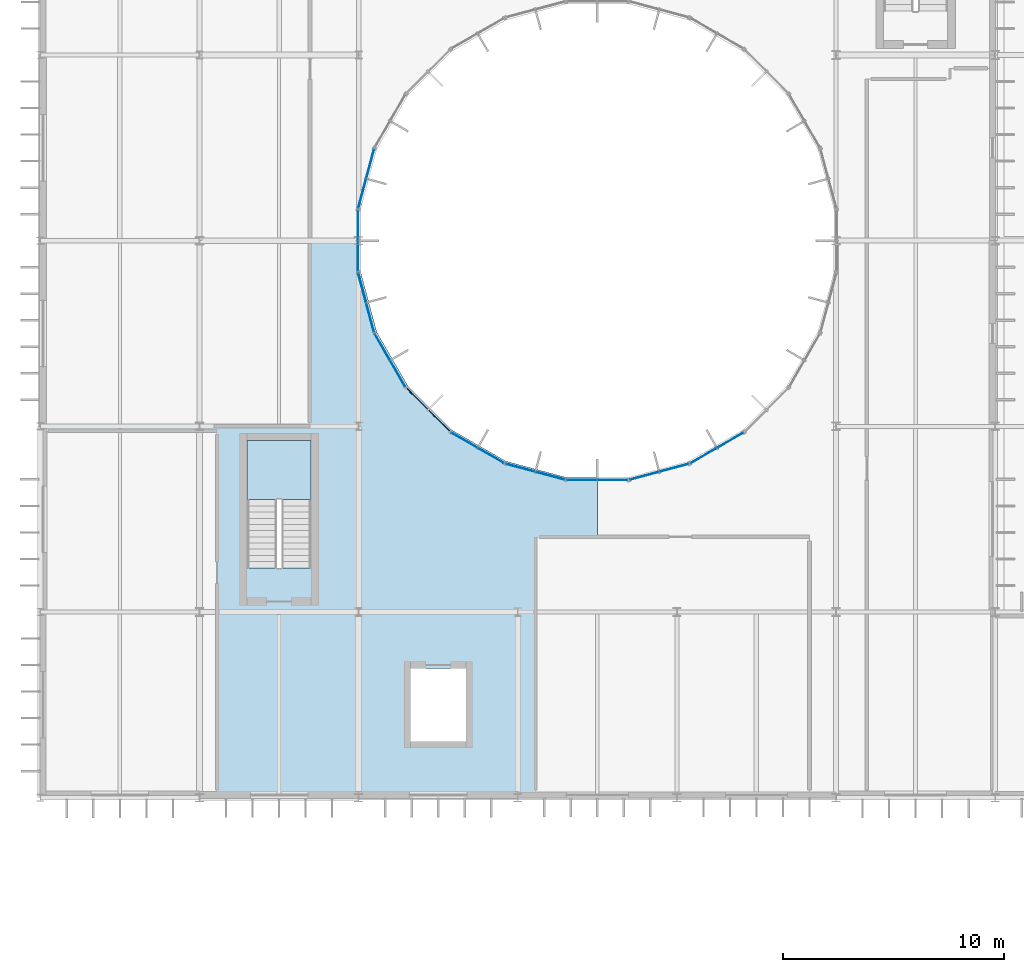
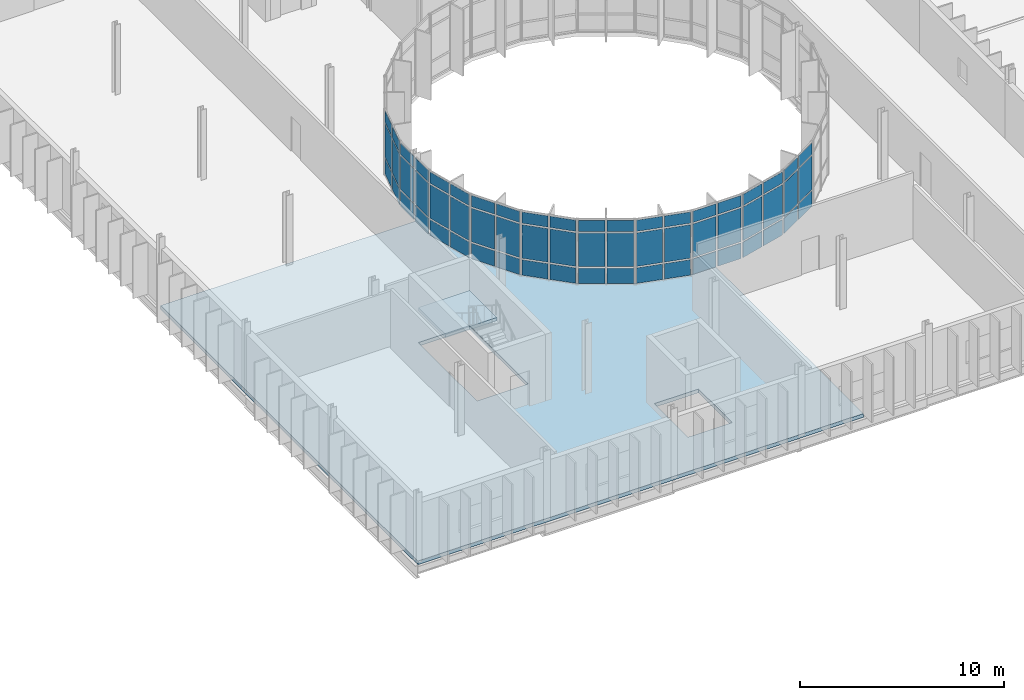
# One storey, part 60 of 99: 60 plates, 2 slabs, 11 elements without a shape of their own.
"""IFC4 building model written with IfcOpenShell, lengths in metres."""

import ifcopenshell
import ifcopenshell.guid

model = None  # the IFC model being written
_history = None  # IfcOwnerHistory: only IFC2X3 demands one
_inside = {}  # id of a spatial element -> (the spatial element, [elements in it])
_under = {}  # id of a project, library or spatial element -> (it, [spatial elements below it])
_declared = {}  # id of a project -> (the project, [libraries it declares])
_typed = {}  # id of a type object -> (the type object, [elements of that type])
_made_of = {}  # id of a material, layer set ... -> (it, [elements and type objects made of it])


def new_model(schema):
    """Start an empty IFC model of exactly this schema.

    Asked for "IFC4X3", IfcOpenShell would pick the latest addendum, in which some entities
    have other attributes; the version numbers below select the first issue.
    IFC2X3 requires an IfcOwnerHistory on every rooted entity: one is made here for all.
    """
    global model, _history
    if schema == "IFC4X3":
        model = ifcopenshell.file(schema_version=(4, 3, 0, 0))
    else:
        model = ifcopenshell.file(schema=schema)
    _inside.clear()
    _under.clear()
    _declared.clear()
    _typed.clear()
    _made_of.clear()
    _history = None
    if model.schema == "IFC2X3":
        org = make("IfcOrganization", Name="unknown")
        user = make(
            "IfcPersonAndOrganization",
            ThePerson=make("IfcPerson", FamilyName="unknown"),
            TheOrganization=org,
        )
        app = make(
            "IfcApplication",
            ApplicationDeveloper=org,
            Version="unknown",
            ApplicationFullName="unknown",
            ApplicationIdentifier="unknown",
        )
        _history = make(
            "IfcOwnerHistory",
            OwningUser=user,
            OwningApplication=app,
            ChangeAction="ADDED",
            CreationDate=0,
        )
    return model


def make(cls, **values):
    """One entity of the class cls with the attributes given. An attribute that is None is left unset."""
    return model.create_entity(
        cls, **{name: value for name, value in values.items() if value is not None}
    )


def rooted(cls, **values):
    """An entity with a GlobalId (a new one), such as an element, a storey or a relation."""
    return make(cls, GlobalId=ifcopenshell.guid.new(), OwnerHistory=_history, **values)


def si_unit(unit_type, name, prefix=None):
    """IfcSIUnit, for example si_unit("LENGTHUNIT", "METRE", prefix="MILLI")."""
    return make("IfcSIUnit", UnitType=unit_type, Prefix=prefix, Name=name)


def assignment(units):
    """IfcUnitAssignment: the units of a project."""
    return None if units is None else make("IfcUnitAssignment", Units=units)


def point(xyz):
    """IfcCartesianPoint."""
    return None if xyz is None else make("IfcCartesianPoint", Coordinates=xyz)


def direction(xyz):
    """IfcDirection."""
    return None if xyz is None else make("IfcDirection", DirectionRatios=xyz)


def frame(location, z_axis=None, x_axis=None):
    """IfcAxis2Placement3D, a coordinate frame: its origin and axes. An axis left out is left unset."""
    return make(
        "IfcAxis2Placement3D",
        Location=point(location),
        Axis=direction(z_axis),
        RefDirection=direction(x_axis),
    )


def frame_2d(location, x_axis=None):
    """IfcAxis2Placement2D, a coordinate frame in the plane: its origin and x axis."""
    return make(
        "IfcAxis2Placement2D", Location=point(location), RefDirection=direction(x_axis)
    )


def origin():
    """The frame at (0, 0, 0) with its axes left unset."""
    return frame((0.0, 0.0, 0.0))


def origin_2d():
    """The frame at (0, 0) in the plane with its x axis left unset."""
    return frame_2d((0.0, 0.0))


def place(relative_to, where):
    """IfcLocalPlacement: puts the frame where relative to a parent placement (None: the world)."""
    return make(
        "IfcLocalPlacement", PlacementRelTo=relative_to, RelativePlacement=where
    )


def context(
    kind, dimensions, precision=None, world=None, true_north=None, identifier=None
):
    """IfcGeometricRepresentationContext, for example the 3D "Model" context."""
    return make(
        "IfcGeometricRepresentationContext",
        ContextIdentifier=identifier,
        ContextType=kind,
        CoordinateSpaceDimension=dimensions,
        Precision=precision,
        WorldCoordinateSystem=world,
        TrueNorth=true_north,
    )


def subcontext(parent, identifier, kind, view, scale=None):
    """IfcGeometricRepresentationSubContext, for example "Body" below "Model"."""
    return make(
        "IfcGeometricRepresentationSubContext",
        ContextIdentifier=identifier,
        ContextType=kind,
        ParentContext=parent,
        TargetScale=scale,
        TargetView=view,
    )


def project(units=None, contexts=None):
    """IfcProject with its units and contexts."""
    return rooted(
        "IfcProject",
        Name="project",
        RepresentationContexts=contexts,
        UnitsInContext=assignment(units),
    )


def spatial(cls, under=None, at=None, **own):
    """A site, building, storey or space (cls), placed at a placement, below another one or the project."""
    s = rooted(cls, ObjectPlacement=at, **own)
    if under is not None:
        _under.setdefault(under.id(), (under, []))[1].append(s)
    return s


def polyline(points):
    """IfcPolyline through the points."""
    return make("IfcPolyline", Points=[point(p) for p in points])


def profile(cls, at=None, kind="AREA", **sizes):
    """A parametric profile (cls). Its sizes go by their IFC names, for example OverallWidth=200.0."""
    return make(cls, ProfileType=kind, Position=at, **sizes)


def rectangle(**sizes):
    """IfcRectangleProfileDef."""
    return profile("IfcRectangleProfileDef", **sizes)


def outline(outer, holes=None, kind="AREA"):
    """IfcArbitraryClosedProfileDef: a profile drawn as a closed curve; with holes, ...WithVoids."""
    if holes is None:
        return make("IfcArbitraryClosedProfileDef", ProfileType=kind, OuterCurve=outer)
    return make(
        "IfcArbitraryProfileDefWithVoids",
        ProfileType=kind,
        OuterCurve=outer,
        InnerCurves=holes,
    )


def extrude(swept, where, along, depth):
    """IfcExtrudedAreaSolid: the profile swept, set in the frame where, extruded along a direction by depth."""
    return make(
        "IfcExtrudedAreaSolid",
        SweptArea=swept,
        Position=where,
        ExtrudedDirection=direction(along),
        Depth=depth,
    )


def shape(context_of_items, identifier, shape_type, items):
    """IfcShapeRepresentation: the items that make up one representation, for example the "Body"."""
    return make(
        "IfcShapeRepresentation",
        ContextOfItems=context_of_items,
        RepresentationIdentifier=identifier,
        RepresentationType=shape_type,
        Items=items,
    )


def material(Name=None, Category=None):
    """IfcMaterial."""
    return make("IfcMaterial", Name=Name, Category=Category)


def layer(
    of_material, thickness, ventilated=None, Name=None, Category=None, Priority=None
):
    """IfcMaterialLayer: one layer of a wall or slab, of a material (None: an air gap)."""
    return make(
        "IfcMaterialLayer",
        Material=of_material,
        LayerThickness=thickness,
        IsVentilated=ventilated,
        Name=Name,
        Category=Category,
        Priority=Priority,
    )


def layer_set(layers, Name=None):
    """IfcMaterialLayerSet."""
    return make("IfcMaterialLayerSet", MaterialLayers=layers, LayerSetName=Name)


def made_of(thing, what):
    """Note that an element or type object is made of a material, layer set ...; save() writes the relation."""
    if what is not None:
        _made_of.setdefault(what.id(), (what, []))[1].append(thing)
    return thing


def type_object(cls, material=None, **own):
    """A type object (cls), such as IfcWallType, which elements share."""
    return made_of(rooted(cls, **own), material)


def element(
    cls,
    number,
    at=None,
    inside=None,
    cuts=None,
    type_object=None,
    material=None,
    context=None,
    identifier="Body",
    shape_type=None,
    held_by="IfcProductDefinitionShape",
    body=None,
    shapes=None,
    **own,
):
    """One element of the class cls, such as IfcWall. Its Tag is "e" and its number.

    at: its placement. inside: the storey or other place that contains it. cuts: it is an
    opening in that element (IfcRelVoidsElement). A single representation is given by context,
    identifier, shape_type and body (its items); several are given by shapes. held_by: the class
    of the entity that holds the representations. save() writes the other relations.
    """
    e = rooted(cls, Tag="e%d" % number, ObjectPlacement=at, **own)
    if body is not None:
        shapes = [shape(context, identifier, shape_type, body)]
    if shapes is not None:
        e.Representation = make(held_by, Representations=shapes)
    if inside is not None:
        _inside.setdefault(inside.id(), (inside, []))[1].append(e)
    if cuts is not None:
        rooted(
            "IfcRelVoidsElement", RelatingBuildingElement=cuts, RelatedOpeningElement=e
        )
    if type_object is not None:
        _typed.setdefault(type_object.id(), (type_object, []))[1].append(e)
    return made_of(e, material)


def aggregate(whole, parts):
    """IfcRelAggregates: a whole, such as a stair, and the parts it consists of."""
    return rooted("IfcRelAggregates", RelatingObject=whole, RelatedObjects=parts)


def save(model, path):
    """Write the relations noted so far, then the file.

    IfcRelAggregates (storeys below a building ...), IfcRelContainedInSpatialStructure (elements
    in a storey), IfcRelDefinesByType, IfcRelAssociatesMaterial and IfcRelDeclares: one each for
    every whole, place, type object, material and project.
    """
    for whole, parts in _under.values():
        aggregate(whole, parts)
    for where, things in _inside.values():
        rooted(
            "IfcRelContainedInSpatialStructure",
            RelatedElements=things,
            RelatingStructure=where,
        )
    for kind, things in _typed.values():
        rooted("IfcRelDefinesByType", RelatedObjects=things, RelatingType=kind)
    for what, things in _made_of.values():
        rooted("IfcRelAssociatesMaterial", RelatedObjects=things, RelatingMaterial=what)
    for by, libraries in _declared.values():
        rooted("IfcRelDeclares", RelatingContext=by, RelatedDefinitions=libraries)
    model.write(path)


model = new_model("IFC4")

# Units and contexts
model_context = context("Model", 3, precision=1e-05, world=origin(), true_north=direction((0.0, 1.0)))
body_context = subcontext(model_context, "Body", "Model", "MODEL_VIEW")
ifc_project = project(units=[si_unit("LENGTHUNIT", "METRE"), si_unit("AREAUNIT", "SQUARE_METRE"), si_unit("VOLUMEUNIT", "CUBIC_METRE"), si_unit("PLANEANGLEUNIT", "RADIAN"), si_unit("MASSUNIT", "GRAM", prefix="KILO")], contexts=[model_context])

# Site, building, storey
site_placement = place(None, origin())
site = spatial("IfcSite", under=ifc_project, at=site_placement, CompositionType="ELEMENT")
building_placement = place(site_placement, origin())
building = spatial("IfcBuilding", under=site, at=building_placement, Name="Qelthora Terrace Specialist Clinic", CompositionType="ELEMENT")
storey_placement = place(building_placement, frame((0.0, 0.0, 9.0)))
storey = spatial("IfcBuildingStorey", under=building, at=storey_placement, Name="L02", CompositionType="ELEMENT", Elevation=9.0)

# Curtain wall, plates
ifc_material_1 = material(Name="Aluminium anodized bronze", Category="aluminium")
curtain_wall_type = type_object("IfcCurtainWallType", Name="CW-CRTW-UPP", PredefinedType="NOTDEFINED", material=ifc_material_1)
curtain_wall_1_placement = place(storey_placement, origin())
curtain_wall_1 = element("IfcCurtainWall", 1, at=curtain_wall_1_placement, inside=storey, type_object=curtain_wall_type, Name="Curtain wall CW-CW-L02-11", PredefinedType="NOTDEFINED")
ifc_material_2 = material(Name="Low-E triple-silver insulating glass", Category="glass")
ifc_layer_1 = layer(ifc_material_2, 0.035888671875)
ifc_layer_set_1 = layer_set([ifc_layer_1], Name="Low-E triple-silver insulating glass")
plate_type = type_object("IfcPlateType", Name="CWP-IGU-36", PredefinedType="CURTAIN_PANEL", material=ifc_layer_set_1)
plate_1_placement = place(storey_placement, frame((14.923828125, 87.483154296875, 0.0849609375), z_axis=(0.0, 0.0, 1.0), x_axis=(-0.258820730961, -0.965925374563, 0.0)))
plate_1 = element("IfcPlate", 2, at=plate_1_placement, type_object=plate_type, Name="CW-CW-L02-11 glazed panel 1", PredefinedType="CURTAIN_PANEL", context=body_context, shape_type="SweptSolid", body=[
    extrude(rectangle(XDim=1.3095703125, YDim=0.035888671875, at=origin_2d()), origin(), (0.0, 0.0, 1.0), 0.919921875),
])
plate_2_placement = place(storey_placement, frame((14.923828125, 87.483154296875, 1.094970703125), z_axis=(0.0, 0.0, 1.0), x_axis=(-0.258820730961, -0.965925374563, 0.0)))
plate_2 = element("IfcPlate", 3, at=plate_2_placement, type_object=plate_type, Name="CW-CW-L02-11 glazed panel 2", PredefinedType="CURTAIN_PANEL", context=body_context, shape_type="SweptSolid", body=[
    extrude(rectangle(XDim=1.3095703125, YDim=0.035888671875, at=origin_2d()), origin(), (0.0, 0.0, 1.0), 2.0048828125),
])
plate_3_placement = place(storey_placement, frame((14.923828125, 87.483154296875, 3.18994140625), z_axis=(0.0, 0.0, 1.0), x_axis=(-0.258820730961, -0.965925374563, 0.0)))
plate_3 = element("IfcPlate", 4, at=plate_3_placement, type_object=plate_type, Name="CW-CW-L02-11 glazed panel 3", PredefinedType="CURTAIN_PANEL", context=body_context, shape_type="SweptSolid", body=[
    extrude(rectangle(XDim=1.3095703125, YDim=0.035888671875, at=origin_2d()), origin(), (0.0, 0.0, 1.0), 0.669921875),
])
plate_4_placement = place(storey_placement, frame((14.558837890625, 86.12158203125, 0.0849609375), z_axis=(0.0, 0.0, 1.0), x_axis=(-0.258820730961, -0.965925374563, 0.0)))
plate_4 = element("IfcPlate", 5, at=plate_4_placement, type_object=plate_type, Name="CW-CW-L02-11 glazed panel 4", PredefinedType="CURTAIN_PANEL", context=body_context, shape_type="SweptSolid", body=[
    extrude(rectangle(XDim=1.3095703125, YDim=0.035888671875, at=origin_2d()), origin(), (0.0, 0.0, 1.0), 0.919921875),
])
plate_5_placement = place(storey_placement, frame((14.558837890625, 86.12158203125, 1.094970703125), z_axis=(0.0, 0.0, 1.0), x_axis=(-0.258820730961, -0.965925374563, 0.0)))
plate_5 = element("IfcPlate", 6, at=plate_5_placement, type_object=plate_type, Name="CW-CW-L02-11 glazed panel 5", PredefinedType="CURTAIN_PANEL", context=body_context, shape_type="SweptSolid", body=[
    extrude(rectangle(XDim=1.3095703125, YDim=0.035888671875, at=origin_2d()), origin(), (0.0, 0.0, 1.0), 2.0048828125),
])
plate_6_placement = place(storey_placement, frame((14.558837890625, 86.12158203125, 3.18994140625), z_axis=(0.0, 0.0, 1.0), x_axis=(-0.258820730961, -0.965925374563, 0.0)))
plate_6 = element("IfcPlate", 7, at=plate_6_placement, type_object=plate_type, Name="CW-CW-L02-11 glazed panel 6", PredefinedType="CURTAIN_PANEL", context=body_context, shape_type="SweptSolid", body=[
    extrude(rectangle(XDim=1.3095703125, YDim=0.035888671875, at=origin_2d()), origin(), (0.0, 0.0, 1.0), 0.669921875),
])
aggregate(curtain_wall_1, [plate_1, plate_2, plate_3, plate_4, plate_5, plate_6])

curtain_wall_2_placement = place(storey_placement, origin())
curtain_wall_2 = element("IfcCurtainWall", 8, at=curtain_wall_2_placement, inside=storey, type_object=curtain_wall_type, Name="Curtain wall CW-CW-L02-12", PredefinedType="NOTDEFINED")
plate_7_placement = place(storey_placement, frame((14.372314453125, 84.704833984375, 0.0849609375), z_axis=(0.0, 0.0, 1.0), x_axis=(0.0, -1.0, 0.0)))
plate_7 = element("IfcPlate", 9, at=plate_7_placement, type_object=plate_type, Name="CW-CW-L02-12 glazed panel 1", PredefinedType="CURTAIN_PANEL", context=body_context, shape_type="SweptSolid", body=[
    extrude(rectangle(XDim=1.3095703125, YDim=0.035888671875, at=origin_2d()), origin(), (0.0, 0.0, 1.0), 0.919921875),
])
plate_8_placement = place(storey_placement, frame((14.372314453125, 84.704833984375, 1.094970703125), z_axis=(0.0, 0.0, 1.0), x_axis=(0.0, -1.0, 0.0)))
plate_8 = element("IfcPlate", 10, at=plate_8_placement, type_object=plate_type, Name="CW-CW-L02-12 glazed panel 2", PredefinedType="CURTAIN_PANEL", context=body_context, shape_type="SweptSolid", body=[
    extrude(rectangle(XDim=1.3095703125, YDim=0.035888671875, at=origin_2d()), origin(), (0.0, 0.0, 1.0), 2.0048828125),
])
plate_9_placement = place(storey_placement, frame((14.372314453125, 84.704833984375, 3.18994140625), z_axis=(0.0, 0.0, 1.0), x_axis=(0.0, -1.0, 0.0)))
plate_9 = element("IfcPlate", 11, at=plate_9_placement, type_object=plate_type, Name="CW-CW-L02-12 glazed panel 3", PredefinedType="CURTAIN_PANEL", context=body_context, shape_type="SweptSolid", body=[
    extrude(rectangle(XDim=1.3095703125, YDim=0.035888671875, at=origin_2d()), origin(), (0.0, 0.0, 1.0), 0.669921875),
])
plate_10_placement = place(storey_placement, frame((14.372314453125, 83.295166015625, 0.0849609375), z_axis=(0.0, 0.0, 1.0), x_axis=(0.0, -1.0, 0.0)))
plate_10 = element("IfcPlate", 12, at=plate_10_placement, type_object=plate_type, Name="CW-CW-L02-12 glazed panel 4", PredefinedType="CURTAIN_PANEL", context=body_context, shape_type="SweptSolid", body=[
    extrude(rectangle(XDim=1.3095703125, YDim=0.035888671875, at=origin_2d()), origin(), (0.0, 0.0, 1.0), 0.919921875),
])
plate_11_placement = place(storey_placement, frame((14.372314453125, 83.295166015625, 1.094970703125), z_axis=(0.0, 0.0, 1.0), x_axis=(0.0, -1.0, 0.0)))
plate_11 = element("IfcPlate", 13, at=plate_11_placement, type_object=plate_type, Name="CW-CW-L02-12 glazed panel 5", PredefinedType="CURTAIN_PANEL", context=body_context, shape_type="SweptSolid", body=[
    extrude(rectangle(XDim=1.3095703125, YDim=0.035888671875, at=origin_2d()), origin(), (0.0, 0.0, 1.0), 2.0048828125),
])
plate_12_placement = place(storey_placement, frame((14.372314453125, 83.295166015625, 3.18994140625), z_axis=(0.0, 0.0, 1.0), x_axis=(0.0, -1.0, 0.0)))
plate_12 = element("IfcPlate", 14, at=plate_12_placement, type_object=plate_type, Name="CW-CW-L02-12 glazed panel 6", PredefinedType="CURTAIN_PANEL", context=body_context, shape_type="SweptSolid", body=[
    extrude(rectangle(XDim=1.3095703125, YDim=0.035888671875, at=origin_2d()), origin(), (0.0, 0.0, 1.0), 0.669921875),
])
aggregate(curtain_wall_2, [plate_7, plate_8, plate_9, plate_10, plate_11, plate_12])

curtain_wall_3_placement = place(storey_placement, origin())
curtain_wall_3 = element("IfcCurtainWall", 15, at=curtain_wall_3_placement, inside=storey, type_object=curtain_wall_type, Name="Curtain wall CW-CW-L02-13", PredefinedType="NOTDEFINED")
plate_13_placement = place(storey_placement, frame((14.558837890625, 81.87841796875, 0.0849609375), z_axis=(0.0, 0.0, 1.0), x_axis=(0.258820730961, -0.965925374563, 0.0)))
plate_13 = element("IfcPlate", 16, at=plate_13_placement, type_object=plate_type, Name="CW-CW-L02-13 glazed panel 1", PredefinedType="CURTAIN_PANEL", context=body_context, shape_type="SweptSolid", body=[
    extrude(rectangle(XDim=1.3095703125, YDim=0.035888671875, at=origin_2d()), origin(), (0.0, 0.0, 1.0), 0.919921875),
])
plate_14_placement = place(storey_placement, frame((14.558837890625, 81.87841796875, 1.094970703125), z_axis=(0.0, 0.0, 1.0), x_axis=(0.258820730961, -0.965925374563, 0.0)))
plate_14 = element("IfcPlate", 17, at=plate_14_placement, type_object=plate_type, Name="CW-CW-L02-13 glazed panel 2", PredefinedType="CURTAIN_PANEL", context=body_context, shape_type="SweptSolid", body=[
    extrude(rectangle(XDim=1.3095703125, YDim=0.035888671875, at=origin_2d()), origin(), (0.0, 0.0, 1.0), 2.0048828125),
])
plate_15_placement = place(storey_placement, frame((14.558837890625, 81.87841796875, 3.18994140625), z_axis=(0.0, 0.0, 1.0), x_axis=(0.258820730961, -0.965925374563, 0.0)))
plate_15 = element("IfcPlate", 18, at=plate_15_placement, type_object=plate_type, Name="CW-CW-L02-13 glazed panel 3", PredefinedType="CURTAIN_PANEL", context=body_context, shape_type="SweptSolid", body=[
    extrude(rectangle(XDim=1.3095703125, YDim=0.035888671875, at=origin_2d()), origin(), (0.0, 0.0, 1.0), 0.669921875),
])
plate_16_placement = place(storey_placement, frame((14.923828125, 80.516845703125, 0.0849609375), z_axis=(0.0, 0.0, 1.0), x_axis=(0.258820730961, -0.965925374563, 0.0)))
plate_16 = element("IfcPlate", 19, at=plate_16_placement, type_object=plate_type, Name="CW-CW-L02-13 glazed panel 4", PredefinedType="CURTAIN_PANEL", context=body_context, shape_type="SweptSolid", body=[
    extrude(rectangle(XDim=1.3095703125, YDim=0.035888671875, at=origin_2d()), origin(), (0.0, 0.0, 1.0), 0.919921875),
])
plate_17_placement = place(storey_placement, frame((14.923828125, 80.516845703125, 1.094970703125), z_axis=(0.0, 0.0, 1.0), x_axis=(0.258820730961, -0.965925374563, 0.0)))
plate_17 = element("IfcPlate", 20, at=plate_17_placement, type_object=plate_type, Name="CW-CW-L02-13 glazed panel 5", PredefinedType="CURTAIN_PANEL", context=body_context, shape_type="SweptSolid", body=[
    extrude(rectangle(XDim=1.3095703125, YDim=0.035888671875, at=origin_2d()), origin(), (0.0, 0.0, 1.0), 2.0048828125),
])
plate_18_placement = place(storey_placement, frame((14.923828125, 80.516845703125, 3.18994140625), z_axis=(0.0, 0.0, 1.0), x_axis=(0.258820730961, -0.965925374563, 0.0)))
plate_18 = element("IfcPlate", 21, at=plate_18_placement, type_object=plate_type, Name="CW-CW-L02-13 glazed panel 6", PredefinedType="CURTAIN_PANEL", context=body_context, shape_type="SweptSolid", body=[
    extrude(rectangle(XDim=1.3095703125, YDim=0.035888671875, at=origin_2d()), origin(), (0.0, 0.0, 1.0), 0.669921875),
])
aggregate(curtain_wall_3, [plate_13, plate_14, plate_15, plate_16, plate_17, plate_18])

curtain_wall_4_placement = place(storey_placement, origin())
curtain_wall_4 = element("IfcCurtainWall", 22, at=curtain_wall_4_placement, inside=storey, type_object=curtain_wall_type, Name="Curtain wall CW-CW-L02-14", PredefinedType="NOTDEFINED")
plate_19_placement = place(storey_placement, frame((15.470703125, 79.196533203125, 0.0849609375), z_axis=(0.0, 0.0, 1.0), x_axis=(0.5, -0.866025403784, 0.0)))
plate_19 = element("IfcPlate", 23, at=plate_19_placement, type_object=plate_type, Name="CW-CW-L02-14 glazed panel 1", PredefinedType="CURTAIN_PANEL", context=body_context, shape_type="SweptSolid", body=[
    extrude(rectangle(XDim=1.3095703125, YDim=0.035888671875, at=origin_2d()), origin(), (0.0, 0.0, 1.0), 0.919921875),
])
plate_20_placement = place(storey_placement, frame((15.470703125, 79.196533203125, 1.094970703125), z_axis=(0.0, 0.0, 1.0), x_axis=(0.5, -0.866025403784, 0.0)))
plate_20 = element("IfcPlate", 24, at=plate_20_placement, type_object=plate_type, Name="CW-CW-L02-14 glazed panel 2", PredefinedType="CURTAIN_PANEL", context=body_context, shape_type="SweptSolid", body=[
    extrude(rectangle(XDim=1.3095703125, YDim=0.035888671875, at=origin_2d()), origin(), (0.0, 0.0, 1.0), 2.0048828125),
])
plate_21_placement = place(storey_placement, frame((15.470703125, 79.196533203125, 3.18994140625), z_axis=(0.0, 0.0, 1.0), x_axis=(0.5, -0.866025403784, 0.0)))
plate_21 = element("IfcPlate", 25, at=plate_21_placement, type_object=plate_type, Name="CW-CW-L02-14 glazed panel 3", PredefinedType="CURTAIN_PANEL", context=body_context, shape_type="SweptSolid", body=[
    extrude(rectangle(XDim=1.3095703125, YDim=0.035888671875, at=origin_2d()), origin(), (0.0, 0.0, 1.0), 0.669921875),
])
plate_22_placement = place(storey_placement, frame((16.175537109375, 77.975830078125, 0.0849609375), z_axis=(0.0, 0.0, 1.0), x_axis=(0.5, -0.866025403784, 0.0)))
plate_22 = element("IfcPlate", 26, at=plate_22_placement, type_object=plate_type, Name="CW-CW-L02-14 glazed panel 4", PredefinedType="CURTAIN_PANEL", context=body_context, shape_type="SweptSolid", body=[
    extrude(rectangle(XDim=1.3095703125, YDim=0.035888671875, at=origin_2d()), origin(), (0.0, 0.0, 1.0), 0.919921875),
])
plate_23_placement = place(storey_placement, frame((16.175537109375, 77.975830078125, 1.094970703125), z_axis=(0.0, 0.0, 1.0), x_axis=(0.5, -0.866025403784, 0.0)))
plate_23 = element("IfcPlate", 27, at=plate_23_placement, type_object=plate_type, Name="CW-CW-L02-14 glazed panel 5", PredefinedType="CURTAIN_PANEL", context=body_context, shape_type="SweptSolid", body=[
    extrude(rectangle(XDim=1.3095703125, YDim=0.035888671875, at=origin_2d()), origin(), (0.0, 0.0, 1.0), 2.0048828125),
])
plate_24_placement = place(storey_placement, frame((16.175537109375, 77.975830078125, 3.18994140625), z_axis=(0.0, 0.0, 1.0), x_axis=(0.5, -0.866025403784, 0.0)))
plate_24 = element("IfcPlate", 28, at=plate_24_placement, type_object=plate_type, Name="CW-CW-L02-14 glazed panel 6", PredefinedType="CURTAIN_PANEL", context=body_context, shape_type="SweptSolid", body=[
    extrude(rectangle(XDim=1.3095703125, YDim=0.035888671875, at=origin_2d()), origin(), (0.0, 0.0, 1.0), 0.669921875),
])
aggregate(curtain_wall_4, [plate_19, plate_20, plate_21, plate_22, plate_23, plate_24])

curtain_wall_5_placement = place(storey_placement, origin())
curtain_wall_5 = element("IfcCurtainWall", 29, at=curtain_wall_5_placement, inside=storey, type_object=curtain_wall_type, Name="Curtain wall CW-CW-L02-15", PredefinedType="NOTDEFINED")
plate_25_placement = place(storey_placement, frame((17.04541015625, 76.842041015625, 0.0849609375), z_axis=(0.0, 0.0, 1.0), x_axis=(0.707106781187, -0.707106781187, 0.0)))
plate_25 = element("IfcPlate", 30, at=plate_25_placement, type_object=plate_type, Name="CW-CW-L02-15 glazed panel 1", PredefinedType="CURTAIN_PANEL", context=body_context, shape_type="SweptSolid", body=[
    extrude(rectangle(XDim=1.3095703125, YDim=0.035888671875, at=origin_2d()), origin(), (0.0, 0.0, 1.0), 0.919921875),
])
plate_26_placement = place(storey_placement, frame((17.04541015625, 76.842041015625, 1.094970703125), z_axis=(0.0, 0.0, 1.0), x_axis=(0.707106781187, -0.707106781187, 0.0)))
plate_26 = element("IfcPlate", 31, at=plate_26_placement, type_object=plate_type, Name="CW-CW-L02-15 glazed panel 2", PredefinedType="CURTAIN_PANEL", context=body_context, shape_type="SweptSolid", body=[
    extrude(rectangle(XDim=1.3095703125, YDim=0.035888671875, at=origin_2d()), origin(), (0.0, 0.0, 1.0), 2.0048828125),
])
plate_27_placement = place(storey_placement, frame((17.04541015625, 76.842041015625, 3.18994140625), z_axis=(0.0, 0.0, 1.0), x_axis=(0.707106781187, -0.707106781187, 0.0)))
plate_27 = element("IfcPlate", 32, at=plate_27_placement, type_object=plate_type, Name="CW-CW-L02-15 glazed panel 3", PredefinedType="CURTAIN_PANEL", context=body_context, shape_type="SweptSolid", body=[
    extrude(rectangle(XDim=1.3095703125, YDim=0.035888671875, at=origin_2d()), origin(), (0.0, 0.0, 1.0), 0.669921875),
])
plate_28_placement = place(storey_placement, frame((18.042236328125, 75.84521484375, 0.0849609375), z_axis=(0.0, 0.0, 1.0), x_axis=(0.707106781187, -0.707106781187, 0.0)))
plate_28 = element("IfcPlate", 33, at=plate_28_placement, type_object=plate_type, Name="CW-CW-L02-15 glazed panel 4", PredefinedType="CURTAIN_PANEL", context=body_context, shape_type="SweptSolid", body=[
    extrude(rectangle(XDim=1.3095703125, YDim=0.035888671875, at=origin_2d()), origin(), (0.0, 0.0, 1.0), 0.919921875),
])
plate_29_placement = place(storey_placement, frame((18.042236328125, 75.84521484375, 1.094970703125), z_axis=(0.0, 0.0, 1.0), x_axis=(0.707106781187, -0.707106781187, 0.0)))
plate_29 = element("IfcPlate", 34, at=plate_29_placement, type_object=plate_type, Name="CW-CW-L02-15 glazed panel 5", PredefinedType="CURTAIN_PANEL", context=body_context, shape_type="SweptSolid", body=[
    extrude(rectangle(XDim=1.3095703125, YDim=0.035888671875, at=origin_2d()), origin(), (0.0, 0.0, 1.0), 2.0048828125),
])
plate_30_placement = place(storey_placement, frame((18.042236328125, 75.84521484375, 3.18994140625), z_axis=(0.0, 0.0, 1.0), x_axis=(0.707106781187, -0.707106781187, 0.0)))
plate_30 = element("IfcPlate", 35, at=plate_30_placement, type_object=plate_type, Name="CW-CW-L02-15 glazed panel 6", PredefinedType="CURTAIN_PANEL", context=body_context, shape_type="SweptSolid", body=[
    extrude(rectangle(XDim=1.3095703125, YDim=0.035888671875, at=origin_2d()), origin(), (0.0, 0.0, 1.0), 0.669921875),
])
aggregate(curtain_wall_5, [plate_25, plate_26, plate_27, plate_28, plate_29, plate_30])

curtain_wall_6_placement = place(storey_placement, origin())
curtain_wall_6 = element("IfcCurtainWall", 36, at=curtain_wall_6_placement, inside=storey, type_object=curtain_wall_type, Name="Curtain wall CW-CW-L02-16", PredefinedType="NOTDEFINED")
plate_31_placement = place(storey_placement, frame((19.17578125, 74.975341796875, 0.0849609375), z_axis=(0.0, 0.0, 1.0), x_axis=(0.866025403784, -0.5, 0.0)))
plate_31 = element("IfcPlate", 37, at=plate_31_placement, type_object=plate_type, Name="CW-CW-L02-16 glazed panel 1", PredefinedType="CURTAIN_PANEL", context=body_context, shape_type="SweptSolid", body=[
    extrude(rectangle(XDim=1.3095703125, YDim=0.035888671875, at=origin_2d()), origin(), (0.0, 0.0, 1.0), 0.919921875),
])
plate_32_placement = place(storey_placement, frame((19.17578125, 74.975341796875, 1.094970703125), z_axis=(0.0, 0.0, 1.0), x_axis=(0.866025403784, -0.5, 0.0)))
plate_32 = element("IfcPlate", 38, at=plate_32_placement, type_object=plate_type, Name="CW-CW-L02-16 glazed panel 2", PredefinedType="CURTAIN_PANEL", context=body_context, shape_type="SweptSolid", body=[
    extrude(rectangle(XDim=1.3095703125, YDim=0.035888671875, at=origin_2d()), origin(), (0.0, 0.0, 1.0), 2.0048828125),
])
plate_33_placement = place(storey_placement, frame((19.17578125, 74.975341796875, 3.18994140625), z_axis=(0.0, 0.0, 1.0), x_axis=(0.866025403784, -0.5, 0.0)))
plate_33 = element("IfcPlate", 39, at=plate_33_placement, type_object=plate_type, Name="CW-CW-L02-16 glazed panel 3", PredefinedType="CURTAIN_PANEL", context=body_context, shape_type="SweptSolid", body=[
    extrude(rectangle(XDim=1.3095703125, YDim=0.035888671875, at=origin_2d()), origin(), (0.0, 0.0, 1.0), 0.669921875),
])
plate_34_placement = place(storey_placement, frame((20.396728515625, 74.2705078125, 0.0849609375), z_axis=(0.0, 0.0, 1.0), x_axis=(0.866025403784, -0.5, 0.0)))
plate_34 = element("IfcPlate", 40, at=plate_34_placement, type_object=plate_type, Name="CW-CW-L02-16 glazed panel 4", PredefinedType="CURTAIN_PANEL", context=body_context, shape_type="SweptSolid", body=[
    extrude(rectangle(XDim=1.3095703125, YDim=0.035888671875, at=origin_2d()), origin(), (0.0, 0.0, 1.0), 0.919921875),
])
plate_35_placement = place(storey_placement, frame((20.396728515625, 74.2705078125, 1.094970703125), z_axis=(0.0, 0.0, 1.0), x_axis=(0.866025403784, -0.5, 0.0)))
plate_35 = element("IfcPlate", 41, at=plate_35_placement, type_object=plate_type, Name="CW-CW-L02-16 glazed panel 5", PredefinedType="CURTAIN_PANEL", context=body_context, shape_type="SweptSolid", body=[
    extrude(rectangle(XDim=1.3095703125, YDim=0.035888671875, at=origin_2d()), origin(), (0.0, 0.0, 1.0), 2.0048828125),
])
plate_36_placement = place(storey_placement, frame((20.396728515625, 74.2705078125, 3.18994140625), z_axis=(0.0, 0.0, 1.0), x_axis=(0.866025403784, -0.5, 0.0)))
plate_36 = element("IfcPlate", 42, at=plate_36_placement, type_object=plate_type, Name="CW-CW-L02-16 glazed panel 6", PredefinedType="CURTAIN_PANEL", context=body_context, shape_type="SweptSolid", body=[
    extrude(rectangle(XDim=1.3095703125, YDim=0.035888671875, at=origin_2d()), origin(), (0.0, 0.0, 1.0), 0.669921875),
])
aggregate(curtain_wall_6, [plate_31, plate_32, plate_33, plate_34, plate_35, plate_36])

curtain_wall_7_placement = place(storey_placement, origin())
curtain_wall_7 = element("IfcCurtainWall", 43, at=curtain_wall_7_placement, inside=storey, type_object=curtain_wall_type, Name="Curtain wall CW-CW-L02-17", PredefinedType="NOTDEFINED")
plate_37_placement = place(storey_placement, frame((21.716796875, 73.723876953125, 0.0849609375), z_axis=(0.0, 0.0, 1.0), x_axis=(0.965925374563, -0.258820730961, 0.0)))
plate_37 = element("IfcPlate", 44, at=plate_37_placement, type_object=plate_type, Name="CW-CW-L02-17 glazed panel 1", PredefinedType="CURTAIN_PANEL", context=body_context, shape_type="SweptSolid", body=[
    extrude(rectangle(XDim=1.3095703125, YDim=0.035888671875, at=origin_2d()), origin(), (0.0, 0.0, 1.0), 0.919921875),
])
plate_38_placement = place(storey_placement, frame((21.716796875, 73.723876953125, 1.094970703125), z_axis=(0.0, 0.0, 1.0), x_axis=(0.965925374563, -0.258820730961, 0.0)))
plate_38 = element("IfcPlate", 45, at=plate_38_placement, type_object=plate_type, Name="CW-CW-L02-17 glazed panel 2", PredefinedType="CURTAIN_PANEL", context=body_context, shape_type="SweptSolid", body=[
    extrude(rectangle(XDim=1.3095703125, YDim=0.035888671875, at=origin_2d()), origin(), (0.0, 0.0, 1.0), 2.0048828125),
])
plate_39_placement = place(storey_placement, frame((21.716796875, 73.723876953125, 3.18994140625), z_axis=(0.0, 0.0, 1.0), x_axis=(0.965925374563, -0.258820730961, 0.0)))
plate_39 = element("IfcPlate", 46, at=plate_39_placement, type_object=plate_type, Name="CW-CW-L02-17 glazed panel 3", PredefinedType="CURTAIN_PANEL", context=body_context, shape_type="SweptSolid", body=[
    extrude(rectangle(XDim=1.3095703125, YDim=0.035888671875, at=origin_2d()), origin(), (0.0, 0.0, 1.0), 0.669921875),
])
plate_40_placement = place(storey_placement, frame((23.078369140625, 73.35888671875, 0.0849609375), z_axis=(0.0, 0.0, 1.0), x_axis=(0.965925374563, -0.258820730961, 0.0)))
plate_40 = element("IfcPlate", 47, at=plate_40_placement, type_object=plate_type, Name="CW-CW-L02-17 glazed panel 4", PredefinedType="CURTAIN_PANEL", context=body_context, shape_type="SweptSolid", body=[
    extrude(rectangle(XDim=1.3095703125, YDim=0.035888671875, at=origin_2d()), origin(), (0.0, 0.0, 1.0), 0.919921875),
])
plate_41_placement = place(storey_placement, frame((23.078369140625, 73.35888671875, 1.094970703125), z_axis=(0.0, 0.0, 1.0), x_axis=(0.965925374563, -0.258820730961, 0.0)))
plate_41 = element("IfcPlate", 48, at=plate_41_placement, type_object=plate_type, Name="CW-CW-L02-17 glazed panel 5", PredefinedType="CURTAIN_PANEL", context=body_context, shape_type="SweptSolid", body=[
    extrude(rectangle(XDim=1.3095703125, YDim=0.035888671875, at=origin_2d()), origin(), (0.0, 0.0, 1.0), 2.0048828125),
])
plate_42_placement = place(storey_placement, frame((23.078369140625, 73.35888671875, 3.18994140625), z_axis=(0.0, 0.0, 1.0), x_axis=(0.965925374563, -0.258820730961, 0.0)))
plate_42 = element("IfcPlate", 49, at=plate_42_placement, type_object=plate_type, Name="CW-CW-L02-17 glazed panel 6", PredefinedType="CURTAIN_PANEL", context=body_context, shape_type="SweptSolid", body=[
    extrude(rectangle(XDim=1.3095703125, YDim=0.035888671875, at=origin_2d()), origin(), (0.0, 0.0, 1.0), 0.669921875),
])
aggregate(curtain_wall_7, [plate_37, plate_38, plate_39, plate_40, plate_41, plate_42])

curtain_wall_8_placement = place(storey_placement, origin())
curtain_wall_8 = element("IfcCurtainWall", 50, at=curtain_wall_8_placement, inside=storey, type_object=curtain_wall_type, Name="Curtain wall CW-CW-L02-18", PredefinedType="NOTDEFINED")
plate_43_placement = place(storey_placement, frame((24.4951171875, 73.17236328125, 0.0849609375), z_axis=(0.0, 0.0, 1.0), x_axis=(1.0, 0.0, 0.0)))
plate_43 = element("IfcPlate", 51, at=plate_43_placement, type_object=plate_type, Name="CW-CW-L02-18 glazed panel 1", PredefinedType="CURTAIN_PANEL", context=body_context, shape_type="SweptSolid", body=[
    extrude(rectangle(XDim=1.3095703125, YDim=0.035888671875, at=origin_2d()), origin(), (0.0, 0.0, 1.0), 0.919921875),
])
plate_44_placement = place(storey_placement, frame((24.4951171875, 73.17236328125, 1.094970703125), z_axis=(0.0, 0.0, 1.0), x_axis=(1.0, 0.0, 0.0)))
plate_44 = element("IfcPlate", 52, at=plate_44_placement, type_object=plate_type, Name="CW-CW-L02-18 glazed panel 2", PredefinedType="CURTAIN_PANEL", context=body_context, shape_type="SweptSolid", body=[
    extrude(rectangle(XDim=1.3095703125, YDim=0.035888671875, at=origin_2d()), origin(), (0.0, 0.0, 1.0), 2.0048828125),
])
plate_45_placement = place(storey_placement, frame((24.4951171875, 73.17236328125, 3.18994140625), z_axis=(0.0, 0.0, 1.0), x_axis=(1.0, 0.0, 0.0)))
plate_45 = element("IfcPlate", 53, at=plate_45_placement, type_object=plate_type, Name="CW-CW-L02-18 glazed panel 3", PredefinedType="CURTAIN_PANEL", context=body_context, shape_type="SweptSolid", body=[
    extrude(rectangle(XDim=1.3095703125, YDim=0.035888671875, at=origin_2d()), origin(), (0.0, 0.0, 1.0), 0.669921875),
])
plate_46_placement = place(storey_placement, frame((25.90478515625, 73.17236328125, 0.0849609375), z_axis=(0.0, 0.0, 1.0), x_axis=(1.0, 0.0, 0.0)))
plate_46 = element("IfcPlate", 54, at=plate_46_placement, type_object=plate_type, Name="CW-CW-L02-18 glazed panel 4", PredefinedType="CURTAIN_PANEL", context=body_context, shape_type="SweptSolid", body=[
    extrude(rectangle(XDim=1.3095703125, YDim=0.035888671875, at=origin_2d()), origin(), (0.0, 0.0, 1.0), 0.919921875),
])
plate_47_placement = place(storey_placement, frame((25.90478515625, 73.17236328125, 1.094970703125), z_axis=(0.0, 0.0, 1.0), x_axis=(1.0, 0.0, 0.0)))
plate_47 = element("IfcPlate", 55, at=plate_47_placement, type_object=plate_type, Name="CW-CW-L02-18 glazed panel 5", PredefinedType="CURTAIN_PANEL", context=body_context, shape_type="SweptSolid", body=[
    extrude(rectangle(XDim=1.3095703125, YDim=0.035888671875, at=origin_2d()), origin(), (0.0, 0.0, 1.0), 2.0048828125),
])
plate_48_placement = place(storey_placement, frame((25.90478515625, 73.17236328125, 3.18994140625), z_axis=(0.0, 0.0, 1.0), x_axis=(1.0, 0.0, 0.0)))
plate_48 = element("IfcPlate", 56, at=plate_48_placement, type_object=plate_type, Name="CW-CW-L02-18 glazed panel 6", PredefinedType="CURTAIN_PANEL", context=body_context, shape_type="SweptSolid", body=[
    extrude(rectangle(XDim=1.3095703125, YDim=0.035888671875, at=origin_2d()), origin(), (0.0, 0.0, 1.0), 0.669921875),
])
aggregate(curtain_wall_8, [plate_43, plate_44, plate_45, plate_46, plate_47, plate_48])

curtain_wall_9_placement = place(storey_placement, origin())
curtain_wall_9 = element("IfcCurtainWall", 57, at=curtain_wall_9_placement, inside=storey, type_object=curtain_wall_type, Name="Curtain wall CW-CW-L02-19", PredefinedType="NOTDEFINED")
plate_49_placement = place(storey_placement, frame((27.321533203125, 73.35888671875, 0.0849609375), z_axis=(0.0, 0.0, 1.0), x_axis=(0.965925374563, 0.258820730961, 0.0)))
plate_49 = element("IfcPlate", 58, at=plate_49_placement, type_object=plate_type, Name="CW-CW-L02-19 glazed panel 1", PredefinedType="CURTAIN_PANEL", context=body_context, shape_type="SweptSolid", body=[
    extrude(rectangle(XDim=1.3095703125, YDim=0.035888671875, at=origin_2d()), origin(), (0.0, 0.0, 1.0), 0.919921875),
])
plate_50_placement = place(storey_placement, frame((27.321533203125, 73.35888671875, 1.094970703125), z_axis=(0.0, 0.0, 1.0), x_axis=(0.965925374563, 0.258820730961, 0.0)))
plate_50 = element("IfcPlate", 59, at=plate_50_placement, type_object=plate_type, Name="CW-CW-L02-19 glazed panel 2", PredefinedType="CURTAIN_PANEL", context=body_context, shape_type="SweptSolid", body=[
    extrude(rectangle(XDim=1.3095703125, YDim=0.035888671875, at=origin_2d()), origin(), (0.0, 0.0, 1.0), 2.0048828125),
])
plate_51_placement = place(storey_placement, frame((27.321533203125, 73.35888671875, 3.18994140625), z_axis=(0.0, 0.0, 1.0), x_axis=(0.965925374563, 0.258820730961, 0.0)))
plate_51 = element("IfcPlate", 60, at=plate_51_placement, type_object=plate_type, Name="CW-CW-L02-19 glazed panel 3", PredefinedType="CURTAIN_PANEL", context=body_context, shape_type="SweptSolid", body=[
    extrude(rectangle(XDim=1.3095703125, YDim=0.035888671875, at=origin_2d()), origin(), (0.0, 0.0, 1.0), 0.669921875),
])
plate_52_placement = place(storey_placement, frame((28.68310546875, 73.723876953125, 0.0849609375), z_axis=(0.0, 0.0, 1.0), x_axis=(0.965925374563, 0.258820730961, 0.0)))
plate_52 = element("IfcPlate", 61, at=plate_52_placement, type_object=plate_type, Name="CW-CW-L02-19 glazed panel 4", PredefinedType="CURTAIN_PANEL", context=body_context, shape_type="SweptSolid", body=[
    extrude(rectangle(XDim=1.3095703125, YDim=0.035888671875, at=origin_2d()), origin(), (0.0, 0.0, 1.0), 0.919921875),
])
plate_53_placement = place(storey_placement, frame((28.68310546875, 73.723876953125, 1.094970703125), z_axis=(0.0, 0.0, 1.0), x_axis=(0.965925374563, 0.258820730961, 0.0)))
plate_53 = element("IfcPlate", 62, at=plate_53_placement, type_object=plate_type, Name="CW-CW-L02-19 glazed panel 5", PredefinedType="CURTAIN_PANEL", context=body_context, shape_type="SweptSolid", body=[
    extrude(rectangle(XDim=1.3095703125, YDim=0.035888671875, at=origin_2d()), origin(), (0.0, 0.0, 1.0), 2.0048828125),
])
plate_54_placement = place(storey_placement, frame((28.68310546875, 73.723876953125, 3.18994140625), z_axis=(0.0, 0.0, 1.0), x_axis=(0.965925374563, 0.258820730961, 0.0)))
plate_54 = element("IfcPlate", 63, at=plate_54_placement, type_object=plate_type, Name="CW-CW-L02-19 glazed panel 6", PredefinedType="CURTAIN_PANEL", context=body_context, shape_type="SweptSolid", body=[
    extrude(rectangle(XDim=1.3095703125, YDim=0.035888671875, at=origin_2d()), origin(), (0.0, 0.0, 1.0), 0.669921875),
])
aggregate(curtain_wall_9, [plate_49, plate_50, plate_51, plate_52, plate_53, plate_54])

curtain_wall_10_placement = place(storey_placement, origin())
curtain_wall_10 = element("IfcCurtainWall", 64, at=curtain_wall_10_placement, inside=storey, type_object=curtain_wall_type, Name="Curtain wall CW-CW-L02-20", PredefinedType="NOTDEFINED")
plate_55_placement = place(storey_placement, frame((30.00341796875, 74.2705078125, 0.0849609375), z_axis=(0.0, 0.0, 1.0), x_axis=(0.866025403784, 0.5, 0.0)))
plate_55 = element("IfcPlate", 65, at=plate_55_placement, type_object=plate_type, Name="CW-CW-L02-20 glazed panel 1", PredefinedType="CURTAIN_PANEL", context=body_context, shape_type="SweptSolid", body=[
    extrude(rectangle(XDim=1.3095703125, YDim=0.035888671875, at=origin_2d()), origin(), (0.0, 0.0, 1.0), 0.919921875),
])
plate_56_placement = place(storey_placement, frame((30.00341796875, 74.2705078125, 1.094970703125), z_axis=(0.0, 0.0, 1.0), x_axis=(0.866025403784, 0.5, 0.0)))
plate_56 = element("IfcPlate", 66, at=plate_56_placement, type_object=plate_type, Name="CW-CW-L02-20 glazed panel 2", PredefinedType="CURTAIN_PANEL", context=body_context, shape_type="SweptSolid", body=[
    extrude(rectangle(XDim=1.3095703125, YDim=0.035888671875, at=origin_2d()), origin(), (0.0, 0.0, 1.0), 2.0048828125),
])
plate_57_placement = place(storey_placement, frame((30.00341796875, 74.2705078125, 3.18994140625), z_axis=(0.0, 0.0, 1.0), x_axis=(0.866025403784, 0.5, 0.0)))
plate_57 = element("IfcPlate", 67, at=plate_57_placement, type_object=plate_type, Name="CW-CW-L02-20 glazed panel 3", PredefinedType="CURTAIN_PANEL", context=body_context, shape_type="SweptSolid", body=[
    extrude(rectangle(XDim=1.3095703125, YDim=0.035888671875, at=origin_2d()), origin(), (0.0, 0.0, 1.0), 0.669921875),
])
plate_58_placement = place(storey_placement, frame((31.22412109375, 74.975341796875, 0.0849609375), z_axis=(0.0, 0.0, 1.0), x_axis=(0.866025403784, 0.5, 0.0)))
plate_58 = element("IfcPlate", 68, at=plate_58_placement, type_object=plate_type, Name="CW-CW-L02-20 glazed panel 4", PredefinedType="CURTAIN_PANEL", context=body_context, shape_type="SweptSolid", body=[
    extrude(rectangle(XDim=1.3095703125, YDim=0.035888671875, at=origin_2d()), origin(), (0.0, 0.0, 1.0), 0.919921875),
])
plate_59_placement = place(storey_placement, frame((31.22412109375, 74.975341796875, 1.094970703125), z_axis=(0.0, 0.0, 1.0), x_axis=(0.866025403784, 0.5, 0.0)))
plate_59 = element("IfcPlate", 69, at=plate_59_placement, type_object=plate_type, Name="CW-CW-L02-20 glazed panel 5", PredefinedType="CURTAIN_PANEL", context=body_context, shape_type="SweptSolid", body=[
    extrude(rectangle(XDim=1.3095703125, YDim=0.035888671875, at=origin_2d()), origin(), (0.0, 0.0, 1.0), 2.0048828125),
])
plate_60_placement = place(storey_placement, frame((31.22412109375, 74.975341796875, 3.18994140625), z_axis=(0.0, 0.0, 1.0), x_axis=(0.866025403784, 0.5, 0.0)))
plate_60 = element("IfcPlate", 70, at=plate_60_placement, type_object=plate_type, Name="CW-CW-L02-20 glazed panel 6", PredefinedType="CURTAIN_PANEL", context=body_context, shape_type="SweptSolid", body=[
    extrude(rectangle(XDim=1.3095703125, YDim=0.035888671875, at=origin_2d()), origin(), (0.0, 0.0, 1.0), 0.669921875),
])
aggregate(curtain_wall_10, [plate_55, plate_56, plate_57, plate_58, plate_59, plate_60])

# Slab
ifc_material_3 = material(Name="Concrete C30/37", Category="concrete")
ifc_layer_2 = layer(ifc_material_3, 0.219970703125)
ifc_layer_set_2 = layer_set([ifc_layer_2], Name="Concrete C30/37")
slab_type_1 = type_object("IfcSlabType", Name="SLB-FLR-220-C30", PredefinedType="FLOOR", material=ifc_layer_set_2)
slab_1_placement = place(storey_placement, frame((0.0, 0.0, -0.219970703125)))
element("IfcSlab", 71, at=slab_1_placement, inside=storey, type_object=slab_type_1, Name="L02 V5 slab SLB-L02-V5-1A", PredefinedType="FLOOR", context=body_context, shape_type="SweptSolid", body=[
    extrude(outline(polyline([(0.0, 58.800048828125), (0.0, 84.0), (14.492431640625, 84.0), (14.492431640625, 82.59033203125), (15.22216796875, 79.866943359375), (16.6318359375, 77.42529296875), (18.62548828125, 75.431884765625), (21.067138671875, 74.022216796875), (23.790283203125, 73.29248046875), (25.199951171875, 73.29248046875), (25.199951171875, 58.800048828125), (0.0, 58.800048828125)]), holes=[polyline([(19.25, 61.35009765625), (19.25, 64.64990234375), (16.75, 64.64990234375), (16.75, 61.35009765625), (19.25, 61.35009765625)]), polyline([(12.25, 74.949951171875), (9.35009765625, 74.949951171875), (9.35009765625, 69.20068359375), (12.25, 69.20068359375), (12.25, 74.949951171875)])]), origin(), (0.0, 0.0, 1.0), 0.219970703125),
])

# Stair, slab
stair_type = type_object("IfcStairType", Name="STR-175-280", PredefinedType="HALF_TURN_STAIR", material=ifc_material_3)
stair_placement = place(storey_placement, origin())
stair = element("IfcStair", 72, at=stair_placement, inside=storey, type_object=stair_type, Name="L02 Enclosed Exit Stair ST-01", PredefinedType="HALF_TURN_STAIR")
ifc_layer_3 = layer(ifc_material_3, 0.199951171875)
ifc_layer_set_3 = layer_set([ifc_layer_3], Name="Concrete C30/37")
slab_type_2 = type_object("IfcSlabType", Name="SLB-LAND-200-C30", PredefinedType="LANDING", material=ifc_layer_set_3)
slab_2_placement = place(storey_placement, frame((0.0, 0.0, 1.89990234375)))
slab_2 = element("IfcSlab", 73, at=slab_2_placement, type_object=slab_type_2, Name="ST-01 landing 1", PredefinedType="LANDING", context=body_context, shape_type="SweptSolid", body=[
    extrude(outline(polyline([(12.25, 72.280029296875), (12.25, 74.949951171875), (9.35009765625, 74.949951171875), (9.35009765625, 72.280029296875), (12.25, 72.280029296875)])), origin(), (0.0, 0.0, 1.0), 0.2001953125),
])
aggregate(stair, [slab_2])

save(model, "model.ifc")
